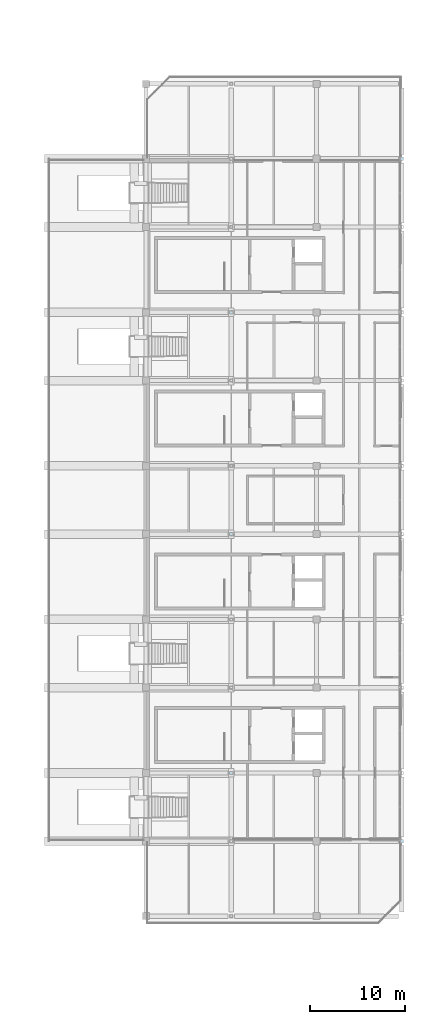
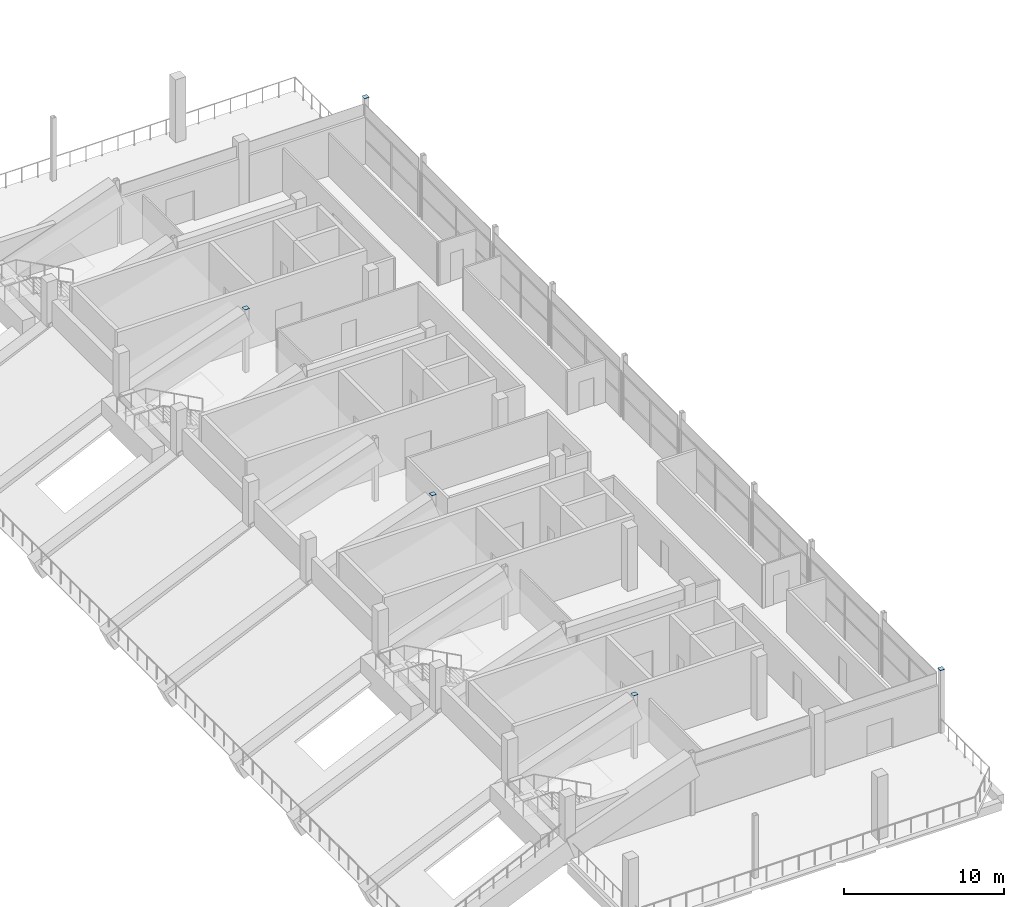
# One storey, part 46 of 66: 5 plates.
"""IFC4 building model written with IfcOpenShell, lengths in metres."""

from ifc_helpers import new_model, si_unit, direction, frame, origin, origin_2d, place, context, subcontext, project, spatial, rectangle, extrude, material, layer, layer_set, type_object, element, save


model = new_model("IFC4")

# Units and contexts
model_context = context("Model", 3, precision=1e-05, world=origin(), true_north=direction((0.0, 1.0)))
body_context = subcontext(model_context, "Body", "Model", "MODEL_VIEW")
ifc_project = project(units=[si_unit("LENGTHUNIT", "METRE"), si_unit("AREAUNIT", "SQUARE_METRE"), si_unit("VOLUMEUNIT", "CUBIC_METRE"), si_unit("PLANEANGLEUNIT", "RADIAN"), si_unit("MASSUNIT", "GRAM", prefix="KILO"), si_unit("THERMODYNAMICTEMPERATUREUNIT", "KELVIN"), si_unit("POWERUNIT", "WATT")], contexts=[model_context])

# Site, building, storey
site_placement = place(None, origin())
site = spatial("IfcSite", under=ifc_project, at=site_placement, CompositionType="ELEMENT")
building_placement = place(site_placement, origin())
building = spatial("IfcBuilding", under=site, at=building_placement, Name="Sindhuravela Promenade Stadium", CompositionType="ELEMENT")
storey_placement = place(building_placement, frame((0.0, 0.0, 19.199951171875)))
storey = spatial("IfcBuildingStorey", under=building, at=storey_placement, Name="L04", CompositionType="ELEMENT", Elevation=19.199951171875)

# Plates
ifc_material = material(Name="Steel E350 (IS 2062 E350BR)", Category="steel")
ifc_layer = layer(ifc_material, 0.02392578125)
ifc_layer_set = layer_set([ifc_layer], Name="Steel E350 (IS 2062 E350BR)")
plate_type = type_object("IfcPlateType", Name="ST-PL-CAP24", PredefinedType="USERDEFINED", material=ifc_layer_set)
for number, where, z_axis, x_axis, name in (
    (1, (189.0, 52.199951171875, 4.800048828125), (0.0, 0.0, 1.0), (1.0, 0.0, 0.0), "Hollow column top cap plate CP01 E-14"),
    (2, (189.0, 77.39990234375, 4.800048828125), (0.0, 0.0, 1.0), (1.0, 0.0, 0.0), "Hollow column top cap plate CP01 E-15"),
    (3, (189.0, 100.800048828125, 4.800048828125), (0.0, 0.0, 1.0), (1.0, 0.0, 0.0), "Hollow column top cap plate CP01 E-16"),
    (4, (207.0, 45.0, 4.800048828125), (0.0, 0.0, 1.0), (1.0, 0.0, 0.0), "Hollow column top cap plate CP01 E-17"),
    (5, (207.0, 117.0, 4.800048828125), (0.0, 0.0, 1.0), (1.0, 0.0, 0.0), "Hollow column top cap plate CP01 E-18"),
):
    element("IfcPlate", number, at=place(storey_placement, frame(where, z_axis=z_axis, x_axis=x_axis)), inside=storey, type_object=plate_type, Name=name, ObjectType="GUSSET PLATE", PredefinedType="USERDEFINED", context=body_context, shape_type="SweptSolid", body=[
        extrude(rectangle(XDim=0.340087890625, YDim=0.340087890625, at=origin_2d()), origin(), (0.0, 0.0, 1.0), 0.02392578125),
    ])

save(model, "model.ifc")
